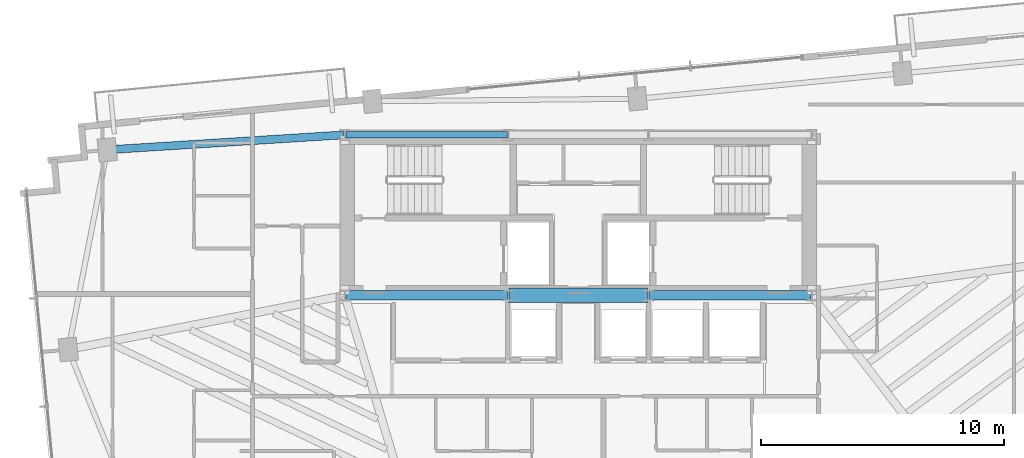
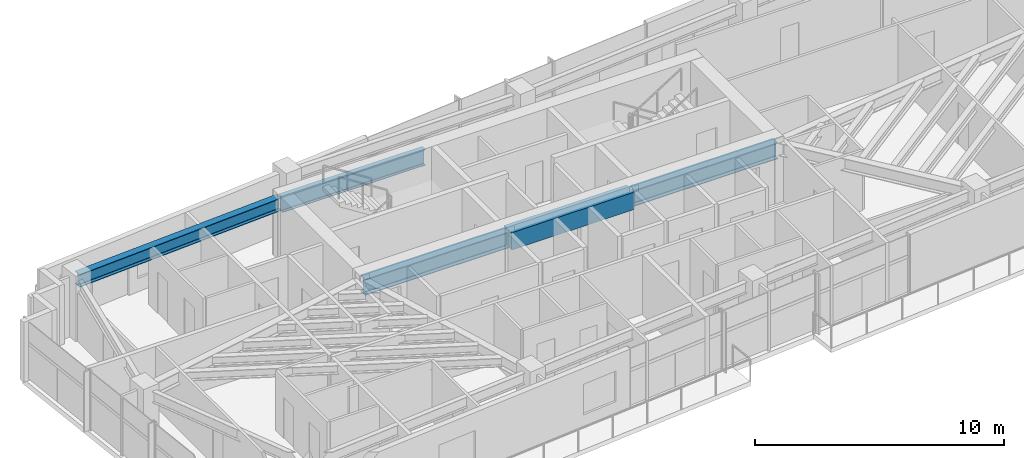
# One storey, part 5 of 18: 5 beams.
"""IFC4 building model written with IfcOpenShell, lengths in metres."""

from ifc_helpers import new_model, si_unit, direction, frame, origin, origin_2d, place, context, subcontext, project, spatial, rectangle, i_section, extrude, source, transform, mapped, material, material_profile, profile_set, type_object, type_shapes, element, save


model = new_model("IFC4")

# Units and contexts
model_context = context("Model", 3, precision=1e-05, world=origin(), true_north=direction((0.0, 1.0)))
body_context = subcontext(model_context, "Body", "Model", "MODEL_VIEW")
ifc_project = project(units=[si_unit("LENGTHUNIT", "METRE"), si_unit("AREAUNIT", "SQUARE_METRE"), si_unit("VOLUMEUNIT", "CUBIC_METRE"), si_unit("PLANEANGLEUNIT", "RADIAN"), si_unit("MASSUNIT", "GRAM", prefix="KILO")], contexts=[model_context])

# Site, building, storey
site_placement = place(None, origin())
site = spatial("IfcSite", under=ifc_project, at=site_placement, CompositionType="ELEMENT")
building_placement = place(site_placement, origin())
building = spatial("IfcBuilding", under=site, at=building_placement, Name="Astriad Promenade Condominiums", CompositionType="ELEMENT")
storey_placement = place(building_placement, frame((0.0, 0.0, 182.60009765625)))
storey = spatial("IfcBuildingStorey", under=building, at=storey_placement, Name="L52", CompositionType="ELEMENT", Elevation=182.60009765625)

# Beams
ifc_material_1 = material(Name="Steel ASTM A992 Grade 50", Category="steel")
ifc_material_profile_1 = material_profile(ifc_material_1, i_section(OverallWidth=0.3837890625, OverallDepth=0.785888671875, WebThickness=0.019775390625, FlangeThickness=0.033447265625, FilletRadius=0.021484375, at=origin_2d()), Name="W30X211")
ifc_profile_set_1 = profile_set([ifc_material_profile_1], Name="Steel ASTM A992 Grade 50")
beam_type_1 = type_object("IfcBeamType", Name="STEEL FLOOR GIRDER W30X211", PredefinedType="BEAM", material=ifc_profile_set_1)
shared_shape_1 = source(origin(), body_context, "Body", "SweptSolid", [
    extrude(i_section(OverallWidth=0.3837890625, OverallDepth=0.785888671875, WebThickness=0.019775390625, FlangeThickness=0.033447265625, FilletRadius=0.021484375, at=origin_2d()), origin(), (0.0, 0.0, 1.0), 6.64013671875),
])
type_shapes(beam_type_1, [shared_shape_1])
for number, where, z_axis, x_axis, name in (
    (1, (26.43994140625, 17.39990234375, 2.546875), (1.0, 0.0, 0.0), (0.0, 1.0, 0.0), "Core Ring Beam CG-S1-L52"),
    (2, (38.919921875, 17.39990234375, 2.546875), (1.0, 0.0, 0.0), (0.0, 1.0, 0.0), "Core Ring Beam CG-S3-L52"),
):
    element("IfcBeam", number, at=place(storey_placement, frame(where, z_axis=z_axis, x_axis=x_axis)), inside=storey, type_object=beam_type_1, Name=name, PredefinedType="BEAM", context=body_context, shape_type="MappedRepresentation", body=[
        mapped(shared_shape_1, transform((0.0, 0.0, 0.0), scale=1.0)),
    ])
ifc_material_profile_2 = material_profile(ifc_material_1, i_section(OverallWidth=0.267822265625, OverallDepth=0.76953125, WebThickness=0.015625, FlangeThickness=0.025390625, FilletRadius=0.021484375, at=origin_2d()), Name="W30X132")
ifc_profile_set_2 = profile_set([ifc_material_profile_2], Name="Steel ASTM A992 Grade 50")
beam_type_2 = type_object("IfcBeamType", Name="STEEL FLOOR GIRDER W30X132", PredefinedType="BEAM", material=ifc_profile_set_2)
shared_shape_2 = source(origin(), body_context, "Body", "SweptSolid", [
    extrude(i_section(OverallWidth=0.267822265625, OverallDepth=0.76953125, WebThickness=0.015625, FlangeThickness=0.025390625, FilletRadius=0.021484375, at=origin_2d()), origin(), (0.0, 0.0, 1.0), 6.64013671875),
])
type_shapes(beam_type_2, [shared_shape_2])
beam_1_placement = place(storey_placement, frame((26.43994140625, 24.0, 2.55517578125), z_axis=(1.0, 0.0, 0.0), x_axis=(0.0, 1.0, 0.0)))
element("IfcBeam", 3, at=beam_1_placement, inside=storey, type_object=beam_type_2, Name="Core Ring Beam CG-N1-L52", PredefinedType="BEAM", context=body_context, shape_type="MappedRepresentation", body=[
    mapped(shared_shape_2, transform((0.0, 0.0, 0.0), scale=1.0)),
])
ifc_material_2 = material(Name="Concrete C60/75", Category="concrete")
ifc_material_profile_3 = material_profile(ifc_material_2, rectangle(XDim=0.60009765625, YDim=0.85009765625, at=origin_2d()), Name="RC-BM-600X850")
ifc_profile_set_3 = profile_set([ifc_material_profile_3], Name="Concrete C60/75")
beam_type_3 = type_object("IfcBeamType", Name="CONCRETE CORE COUPLING LINTEL 600X850", PredefinedType="LINTEL", material=ifc_profile_set_3)
shared_shape_3 = source(origin(), body_context, "Body", "SweptSolid", [
    extrude(rectangle(XDim=0.60009765625, YDim=0.85009765625, at=origin_2d()), origin(), (0.0, 0.0, 1.0), 5.68017578125),
])
type_shapes(beam_type_3, [shared_shape_3])
beam_2_placement = place(storey_placement, frame((33.159912109375, 17.39990234375, 2.514892578125), z_axis=(1.0, 0.0, 0.0), x_axis=(0.0, 1.0, 0.0)))
element("IfcBeam", 4, at=beam_2_placement, inside=storey, type_object=beam_type_3, Name="Core Ring Beam CG-S2-L52", PredefinedType="LINTEL", context=body_context, shape_type="MappedRepresentation", body=[
    mapped(shared_shape_3, transform((0.0, 0.0, 0.0), scale=1.0)),
])
ifc_material_profile_4 = material_profile(ifc_material_1, i_section(OverallWidth=0.326416015625, OverallDepth=0.621826171875, WebThickness=0.015380859375, FlangeThickness=0.0244140625, FilletRadius=0.017822265625, at=origin_2d()), Name="W24X131")
ifc_profile_set_4 = profile_set([ifc_material_profile_4], Name="Steel ASTM A992 Grade 50")
beam_type_4 = type_object("IfcBeamType", Name="STEEL FLOOR GIRDER W24X131", PredefinedType="BEAM", material=ifc_profile_set_4)
shared_shape_4 = source(origin(), body_context, "Body", "SweptSolid", [
    extrude(i_section(OverallWidth=0.326416015625, OverallDepth=0.621826171875, WebThickness=0.015380859375, FlangeThickness=0.0244140625, FilletRadius=0.017822265625, at=origin_2d()), origin(), (0.0, 0.0, 1.0), 9.707275390625),
])
type_shapes(beam_type_4, [shared_shape_4])
beam_3_placement = place(storey_placement, frame((16.672119140625, 23.38671875, 2.62890625), z_axis=(0.998018176507, 0.062926301034, 0.0), x_axis=(-0.062926301034, 0.998018176507, 0.0)))
element("IfcBeam", 5, at=beam_3_placement, inside=storey, type_object=beam_type_4, Name="Primary Floor Girder PG-NW-L52", PredefinedType="BEAM", context=body_context, shape_type="MappedRepresentation", body=[
    mapped(shared_shape_4, transform((0.0, 0.0, 0.0), scale=1.0)),
])

save(model, "model.ifc")
